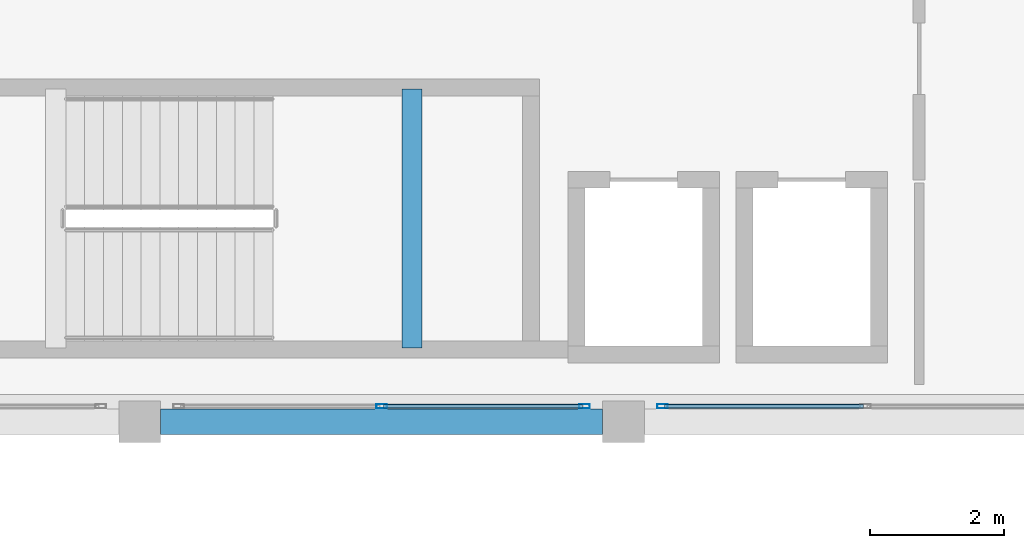
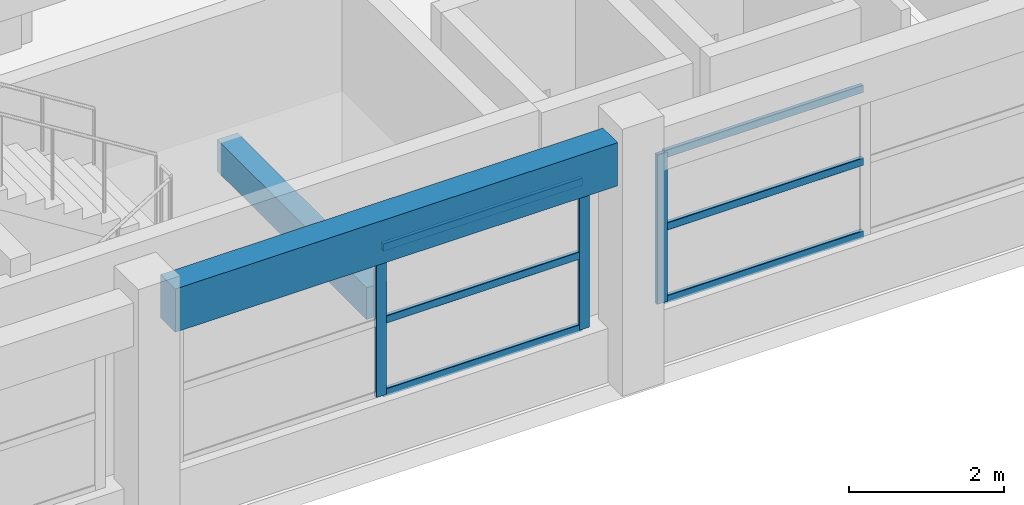
# One storey, part 21 of 67: 9 members, 2 beams, 2 elements without a shape of their own.
"""IFC4 building model written with IfcOpenShell, lengths in metres."""

from ifc_helpers import new_model, si_unit, direction, frame, origin, origin_2d, place, context, subcontext, project, spatial, rectangle, hollow_rectangle, extrude, material, material_profile, profile_set, type_object, element, aggregate, save


model = new_model("IFC4")

# Units and contexts
model_context = context("Model", 3, precision=1e-05, world=origin(), true_north=direction((0.0, 1.0)))
body_context = subcontext(model_context, "Body", "Model", "MODEL_VIEW")
ifc_project = project(units=[si_unit("LENGTHUNIT", "METRE"), si_unit("AREAUNIT", "SQUARE_METRE"), si_unit("VOLUMEUNIT", "CUBIC_METRE"), si_unit("PLANEANGLEUNIT", "RADIAN"), si_unit("MASSUNIT", "GRAM", prefix="KILO")], contexts=[model_context])

# Site, building, storey
site_placement = place(None, origin())
site = spatial("IfcSite", under=ifc_project, at=site_placement, CompositionType="ELEMENT")
building_placement = place(site_placement, origin())
building = spatial("IfcBuilding", under=site, at=building_placement, Name="Bramveld Media Centre", CompositionType="ELEMENT")
storey_placement = place(building_placement, frame((0.0, 0.0, 5.39990234375)))
storey = spatial("IfcBuildingStorey", under=building, at=storey_placement, Name="L01", CompositionType="ELEMENT", Elevation=5.39990234375)

# Beam
ifc_material_1 = material(Name="Concrete C40/50", Category="concrete")
ifc_material_profile_1 = material_profile(ifc_material_1, rectangle(XDim=0.300048828125, YDim=0.5, at=origin_2d()), Name="RC 300x500")
ifc_profile_set_1 = profile_set([ifc_material_profile_1], Name="Concrete C40/50")
beam_type_1 = type_object("IfcBeamType", Name="BM-INT-RC-300x500", PredefinedType="BEAM", material=ifc_profile_set_1)
beam_1_placement = place(storey_placement, frame((76.85009765625, 91.5, 1.650146484375), z_axis=(0.0, 1.0, 0.0), x_axis=(-1.0, 0.0, 0.0)))
element("IfcBeam", 1, at=beam_1_placement, inside=storey, type_object=beam_type_1, Name="ST-07 L01 stairwell half-landing support beam", PredefinedType="BEAM", context=body_context, shape_type="SweptSolid", body=[
    extrude(rectangle(XDim=0.300048828125, YDim=0.5, at=origin_2d()), origin(), (0.0, 0.0, 1.0), 3.85009765625),
])

# Curtain wall, members
ifc_material_2 = material(Name="Thermally broken anodized bronze aluminium unitized curtain wall with solar-control triple glazing", Category="aluminium")
curtain_wall_type = type_object("IfcCurtainWallType", Name="CW-FACV6-6100x2350", PredefinedType="NOTDEFINED", material=ifc_material_2)
curtain_wall_1_placement = place(storey_placement, origin())
curtain_wall_1 = element("IfcCurtainWall", 2, at=curtain_wall_1_placement, inside=storey, type_object=curtain_wall_type, Name="V6 L01 S curtain wall bay 2", PredefinedType="NOTDEFINED")
ifc_material_3 = material(Name="Thermally broken anodized bronze aluminium EN AW-6063 T6 curtain-wall framing", Category="aluminium")
ifc_material_profile_2 = material_profile(ifc_material_3, hollow_rectangle(XDim=0.06005859375, YDim=0.159912109375, WallThickness=0.00390625, InnerFilletRadius=0.00390625, OuterFilletRadius=0.008056640625, at=origin_2d()), Name="AL-MULL 60x160")
ifc_profile_set_2 = profile_set([ifc_material_profile_2], Name="Thermally broken anodized bronze aluminium EN AW-6063 T6 curtain-wall framing")
member_type_1 = type_object("IfcMemberType", Name="CW-MULL-EXT", PredefinedType="MULLION", material=ifc_profile_set_2)
member_1_placement = place(storey_placement, frame((76.39990234375, 90.6298828125, 0.85009765625), z_axis=(0.0, 0.0, 1.0), x_axis=(0.0, 1.0, 0.0)))
member_1 = element("IfcMember", 3, at=member_1_placement, type_object=member_type_1, Name="CW-FA-6123 mullion 2", PredefinedType="MULLION", context=body_context, shape_type="SweptSolid", body=[
    extrude(hollow_rectangle(XDim=0.06005859375, YDim=0.159912109375, WallThickness=0.00390625, InnerFilletRadius=0.00390625, OuterFilletRadius=0.008056640625, at=origin_2d()), origin(), (0.0, 0.0, 1.0), 2.35009765625),
])
member_2_placement = place(storey_placement, frame((79.419921875, 90.6298828125, 0.85009765625), z_axis=(0.0, 0.0, 1.0), x_axis=(0.0, 1.0, 0.0)))
member_2 = element("IfcMember", 4, at=member_2_placement, type_object=member_type_1, Name="CW-FA-6123 mullion 3", PredefinedType="MULLION", context=body_context, shape_type="SweptSolid", body=[
    extrude(hollow_rectangle(XDim=0.06005859375, YDim=0.159912109375, WallThickness=0.00390625, InnerFilletRadius=0.00390625, OuterFilletRadius=0.008056640625, at=origin_2d()), origin(), (0.0, 0.0, 1.0), 2.35009765625),
])

# Curtain wall, member
curtain_wall_2_placement = place(storey_placement, origin())
curtain_wall_2 = element("IfcCurtainWall", 5, at=curtain_wall_2_placement, inside=storey, type_object=curtain_wall_type, Name="V6 L01 S curtain wall bay 3", PredefinedType="NOTDEFINED")
member_3_placement = place(storey_placement, frame((80.580078125, 90.6298828125, 0.85009765625), z_axis=(0.0, 0.0, 1.0), x_axis=(0.0, 1.0, 0.0)))
member_3 = element("IfcMember", 6, at=member_3_placement, type_object=member_type_1, Name="CW-FA-6123 mullion 1", PredefinedType="MULLION", context=body_context, shape_type="SweptSolid", body=[
    extrude(hollow_rectangle(XDim=0.06005859375, YDim=0.159912109375, WallThickness=0.00390625, InnerFilletRadius=0.00390625, OuterFilletRadius=0.008056640625, at=origin_2d()), origin(), (0.0, 0.0, 1.0), 2.35009765625),
])

# Member
ifc_material_4 = material(Name="Thermally broken anodized bronze aluminium EN AW-6063 T6 curtain-wall framing", Category="aluminium")
ifc_material_profile_3 = material_profile(ifc_material_4, hollow_rectangle(XDim=0.06005859375, YDim=0.1201171875, WallThickness=0.00341796875, InnerFilletRadius=0.00341796875, OuterFilletRadius=0.007080078125, at=origin_2d()), Name="AL-TRAN 60x120")
ifc_profile_set_3 = profile_set([ifc_material_profile_3], Name="Thermally broken anodized bronze aluminium EN AW-6063 T6 curtain-wall framing")
member_type_2 = type_object("IfcMemberType", Name="CW-TRAN-EXT", PredefinedType="USERDEFINED", material=ifc_profile_set_3)
member_4_placement = place(storey_placement, frame((76.429931640625, 90.6298828125, 0.880126953125), z_axis=(1.0, 0.0, 0.0), x_axis=(0.0, 1.0, 0.0)))
member_4 = element("IfcMember", 7, at=member_4_placement, type_object=member_type_2, Name="CW-FA-6123 transom 2.1", ObjectType="TRANSOM", PredefinedType="USERDEFINED", context=body_context, shape_type="SweptSolid", body=[
    extrude(hollow_rectangle(XDim=0.06005859375, YDim=0.1201171875, WallThickness=0.00341796875, InnerFilletRadius=0.00341796875, OuterFilletRadius=0.007080078125, at=origin_2d()), origin(), (0.0, 0.0, 1.0), 2.9599609375),
])

member_5_placement = place(storey_placement, frame((76.429931640625, 90.6298828125, 2.025146484375), z_axis=(1.0, 0.0, 0.0), x_axis=(0.0, 1.0, 0.0)))
member_5 = element("IfcMember", 8, at=member_5_placement, type_object=member_type_2, Name="CW-FA-6123 transom 2.2", ObjectType="TRANSOM", PredefinedType="USERDEFINED", context=body_context, shape_type="SweptSolid", body=[
    extrude(hollow_rectangle(XDim=0.06005859375, YDim=0.1201171875, WallThickness=0.00341796875, InnerFilletRadius=0.00341796875, OuterFilletRadius=0.007080078125, at=origin_2d()), origin(), (0.0, 0.0, 1.0), 2.9599609375),
])

member_6_placement = place(storey_placement, frame((76.429931640625, 90.6298828125, 3.170166015625), z_axis=(1.0, 0.0, 0.0), x_axis=(0.0, 1.0, 0.0)))
member_6 = element("IfcMember", 9, at=member_6_placement, type_object=member_type_2, Name="CW-FA-6123 transom 2.3", ObjectType="TRANSOM", PredefinedType="USERDEFINED", context=body_context, shape_type="SweptSolid", body=[
    extrude(hollow_rectangle(XDim=0.06005859375, YDim=0.1201171875, WallThickness=0.00341796875, InnerFilletRadius=0.00341796875, OuterFilletRadius=0.007080078125, at=origin_2d()), origin(), (0.0, 0.0, 1.0), 2.9599609375),
])

aggregate(curtain_wall_1, [member_1, member_2, member_4, member_5, member_6])

member_7_placement = place(storey_placement, frame((80.610107421875, 90.6298828125, 0.880126953125), z_axis=(1.0, 0.0, 0.0), x_axis=(0.0, 1.0, 0.0)))
member_7 = element("IfcMember", 10, at=member_7_placement, type_object=member_type_2, Name="CW-FA-6123 transom 1.1", ObjectType="TRANSOM", PredefinedType="USERDEFINED", context=body_context, shape_type="SweptSolid", body=[
    extrude(hollow_rectangle(XDim=0.06005859375, YDim=0.1201171875, WallThickness=0.00341796875, InnerFilletRadius=0.00341796875, OuterFilletRadius=0.007080078125, at=origin_2d()), origin(), (0.0, 0.0, 1.0), 2.9599609375),
])

member_8_placement = place(storey_placement, frame((80.610107421875, 90.6298828125, 2.025146484375), z_axis=(1.0, 0.0, 0.0), x_axis=(0.0, 1.0, 0.0)))
member_8 = element("IfcMember", 11, at=member_8_placement, type_object=member_type_2, Name="CW-FA-6123 transom 1.2", ObjectType="TRANSOM", PredefinedType="USERDEFINED", context=body_context, shape_type="SweptSolid", body=[
    extrude(hollow_rectangle(XDim=0.06005859375, YDim=0.1201171875, WallThickness=0.00341796875, InnerFilletRadius=0.00341796875, OuterFilletRadius=0.007080078125, at=origin_2d()), origin(), (0.0, 0.0, 1.0), 2.9599609375),
])

member_9_placement = place(storey_placement, frame((80.610107421875, 90.6298828125, 3.170166015625), z_axis=(1.0, 0.0, 0.0), x_axis=(0.0, 1.0, 0.0)))
member_9 = element("IfcMember", 12, at=member_9_placement, type_object=member_type_2, Name="CW-FA-6123 transom 1.3", ObjectType="TRANSOM", PredefinedType="USERDEFINED", context=body_context, shape_type="SweptSolid", body=[
    extrude(hollow_rectangle(XDim=0.06005859375, YDim=0.1201171875, WallThickness=0.00341796875, InnerFilletRadius=0.00341796875, OuterFilletRadius=0.007080078125, at=origin_2d()), origin(), (0.0, 0.0, 1.0), 2.9599609375),
])

aggregate(curtain_wall_2, [member_3, member_7, member_8, member_9])

# Beam
ifc_material_5 = material(Name="Concrete C40/50", Category="concrete")
ifc_material_profile_4 = material_profile(ifc_material_5, rectangle(XDim=0.3798828125, YDim=0.679931640625, at=origin_2d()), Name="RC 380x680")
ifc_profile_set_4 = profile_set([ifc_material_profile_4], Name="Concrete C40/50")
beam_type_2 = type_object("IfcBeamType", Name="SPANDREL-EXT-RC-380x680", PredefinedType="SPANDREL", material=ifc_profile_set_4)
beam_2_placement = place(storey_placement, frame((73.110107421875, 90.39990234375, 3.580078125), z_axis=(1.0, 0.0, 0.0), x_axis=(0.0, 1.0, 0.0)))
element("IfcBeam", 13, at=beam_2_placement, inside=storey, type_object=beam_type_2, Name="V6 L01 girder X-995", PredefinedType="SPANDREL", context=body_context, shape_type="SweptSolid", body=[
    extrude(rectangle(XDim=0.3798828125, YDim=0.679931640625, at=origin_2d()), origin(), (0.0, 0.0, 1.0), 6.579833984375),
])

save(model, "model.ifc")
